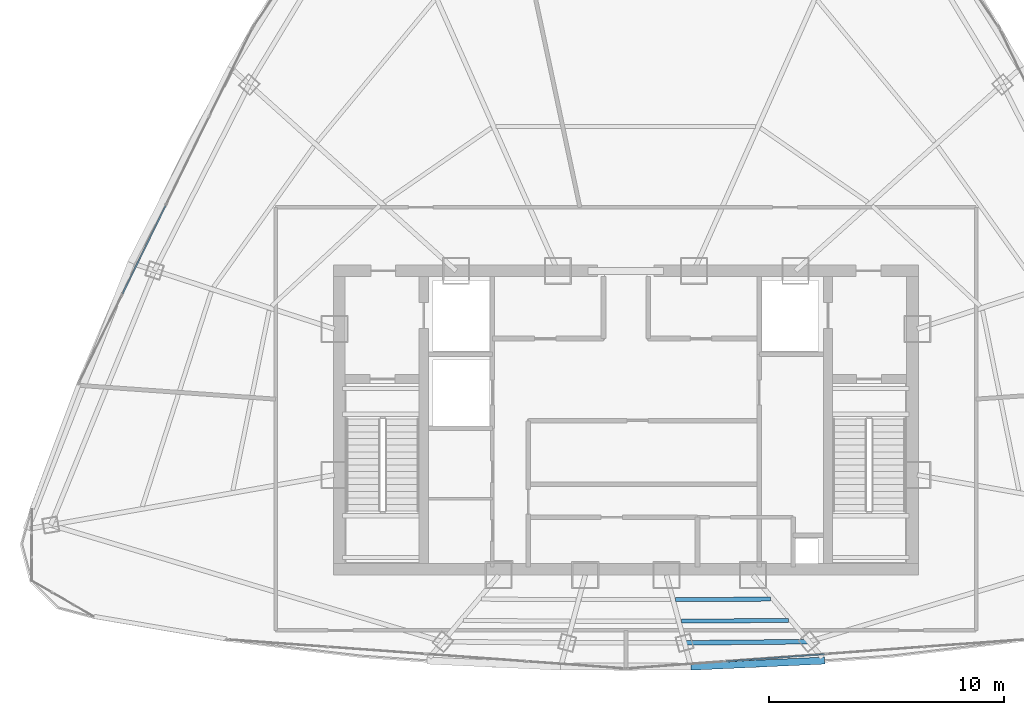
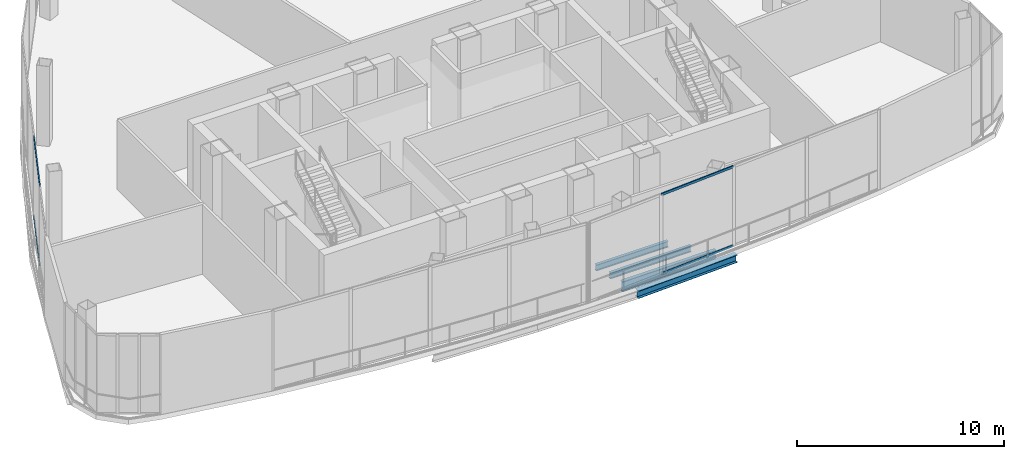
# One storey, part 9 of 33: 4 beams, 4 members, 2 elements without a shape of their own.
"""IFC4 building model written with IfcOpenShell, lengths in metres."""

from ifc_helpers import new_model, si_unit, direction, frame, origin, origin_2d, place, context, subcontext, project, spatial, hollow_rectangle, i_section, extrude, source, transform, mapped, material, layer, layer_set, material_profile, profile_set, type_object, element, aggregate, save


model = new_model("IFC4")

# Units and contexts
model_context = context("Model", 3, precision=1e-05, world=origin(), true_north=direction((0.0, 1.0)))
body_context = subcontext(model_context, "Body", "Model", "MODEL_VIEW")
ifc_project = project(units=[si_unit("LENGTHUNIT", "METRE"), si_unit("AREAUNIT", "SQUARE_METRE"), si_unit("VOLUMEUNIT", "CUBIC_METRE"), si_unit("PLANEANGLEUNIT", "RADIAN"), si_unit("MASSUNIT", "GRAM", prefix="KILO"), si_unit("THERMODYNAMICTEMPERATUREUNIT", "KELVIN"), si_unit("POWERUNIT", "WATT")], contexts=[model_context])

# Site, building, storey
site_placement = place(None, origin())
site = spatial("IfcSite", under=ifc_project, at=site_placement, CompositionType="ELEMENT")
building_placement = place(site_placement, origin())
building = spatial("IfcBuilding", under=site, at=building_placement, Name="Yunzhuo Pagoda Commons", CompositionType="ELEMENT")
storey_placement = place(building_placement, frame((0.0, 0.0, 386.760009765625)))
storey = spatial("IfcBuildingStorey", under=building, at=storey_placement, Name="L96", CompositionType="ELEMENT", Elevation=386.760009765625)

# Beams
ifc_material_1 = material(Name="Structural steel Q355B", Category="steel")
ifc_material_profile_1 = material_profile(ifc_material_1, i_section(OverallWidth=0.199951171875, OverallDepth=0.60009765625, WebThickness=0.010986328125, FlangeThickness=0.01708984375, at=origin_2d()), Name="Structural steel Q355B")
ifc_profile_set_1 = profile_set([ifc_material_profile_1], Name="Structural steel Q355B")
beam_type_1 = type_object("IfcBeamType", Name="B-RG3 Beam HN 600x200x11x17", PredefinedType="BEAM", material=ifc_profile_set_1)
shared_shape_1 = source(origin(), body_context, "Body", "SweptSolid", [
    extrude(i_section(OverallWidth=0.199951171875, OverallDepth=0.60009765625, WebThickness=0.010986328125, FlangeThickness=0.01708984375, at=origin_2d()), origin(), (0.0, 0.0, 1.0), 5.286376953125),
])
beam_1_placement = place(storey_placement, frame((50.499267578125, 24.372802734375, -0.580078125), z_axis=(0.999957341442, 0.009236627946, 0.0), x_axis=(-0.009236627946, 0.999957341442, 0.0)))
element("IfcBeam", 1, at=beam_1_placement, inside=storey, type_object=beam_type_1, Name="L96 column-ring beam 3", PredefinedType="BEAM", context=body_context, shape_type="MappedRepresentation", body=[
    mapped(shared_shape_1, transform((0.0, 0.0, 0.0), scale=1.0)),
])
ifc_material_profile_2 = material_profile(ifc_material_1, i_section(OverallWidth=0.175048828125, OverallDepth=0.35009765625, WebThickness=0.007080078125, FlangeThickness=0.010986328125, at=origin_2d()), Name="Structural steel Q355B")
ifc_profile_set_2 = profile_set([ifc_material_profile_2], Name="Structural steel Q355B")
beam_type_2 = type_object("IfcBeamType", Name="B-JS2 Joist HN 350x175x7x11", PredefinedType="JOIST", material=ifc_profile_set_2)
shared_shape_2 = source(origin(), body_context, "Body", "SweptSolid", [
    extrude(i_section(OverallWidth=0.175048828125, OverallDepth=0.35009765625, WebThickness=0.007080078125, FlangeThickness=0.010986328125, at=origin_2d()), origin(), (0.0, 0.0, 1.0), 4.03076171875),
])
beam_2_placement = place(storey_placement, frame((50.120849609375, 26.214599609375, -0.455078125), z_axis=(0.999991518197, 0.004118680996, 0.0), x_axis=(-0.004118680996, 0.999991518197, 0.0)))
element("IfcBeam", 2, at=beam_2_placement, inside=storey, type_object=beam_type_2, Name="L96 composite ring joist 1.3", PredefinedType="JOIST", context=body_context, shape_type="MappedRepresentation", body=[
    mapped(shared_shape_2, transform((0.0, 0.0, 0.0), scale=1.0)),
])
shared_shape_3 = source(origin(), body_context, "Body", "SweptSolid", [
    extrude(i_section(OverallWidth=0.175048828125, OverallDepth=0.35009765625, WebThickness=0.007080078125, FlangeThickness=0.010986328125, at=origin_2d()), origin(), (0.0, 0.0, 1.0), 4.54345703125),
])
beam_3_placement = place(storey_placement, frame((50.367431640625, 25.29443359375, -0.455078125), z_axis=(0.999975976237, 0.006931590593, 0.0), x_axis=(-0.006931590593, 0.999975976237, 0.0)))
element("IfcBeam", 3, at=beam_3_placement, inside=storey, type_object=beam_type_2, Name="L96 composite ring joist 2.3", PredefinedType="JOIST", context=body_context, shape_type="MappedRepresentation", body=[
    mapped(shared_shape_3, transform((0.0, 0.0, 0.0), scale=1.0)),
])
ifc_material_profile_3 = material_profile(ifc_material_1, i_section(OverallWidth=0.300048828125, OverallDepth=0.43994140625, WebThickness=0.010986328125, FlangeThickness=0.01806640625, at=origin_2d()), Name="Structural steel Q355B")
ifc_profile_set_3 = profile_set([ifc_material_profile_3], Name="Structural steel Q355B")
beam_type_3 = type_object("IfcBeamType", Name="B-SP2 Beam HM 440x300x11x18", PredefinedType="BEAM", material=ifc_profile_set_3)
shared_shape_4 = source(origin(), body_context, "Body", "SweptSolid", [
    extrude(i_section(OverallWidth=0.300048828125, OverallDepth=0.43994140625, WebThickness=0.010986328125, FlangeThickness=0.01806640625, at=origin_2d()), origin(), (0.0, 0.0, 1.0), 5.6953125),
])
beam_4_placement = place(storey_placement, frame((50.77099609375, 23.358642578125, -0.5), z_axis=(0.998967125564, 0.045438772447, 0.0), x_axis=(-0.045438772447, 0.998967125564, 0.0)))
element("IfcBeam", 4, at=beam_4_placement, inside=storey, type_object=beam_type_3, Name="L96 facade edge spandrel beam F1.3", PredefinedType="BEAM", context=body_context, shape_type="MappedRepresentation", body=[
    mapped(shared_shape_4, transform((0.0, 0.0, 0.0), scale=1.0)),
])

# Curtain wall, members
ifc_material_2 = material(Name="Anodized aluminium 6063-T6", Category="aluminium")
ifc_layer = layer(ifc_material_2, 0.179931640625)
ifc_layer_set = layer_set([ifc_layer], Name="Anodized aluminium 6063-T6")
curtain_wall_type = type_object("IfcCurtainWallType", Name="CW-CRN Crown Gable Glazing System", PredefinedType="NOTDEFINED", material=ifc_layer_set)
curtain_wall_1_placement = place(storey_placement, origin())
curtain_wall_1 = element("IfcCurtainWall", 5, at=curtain_wall_1_placement, inside=storey, type_object=curtain_wall_type, Name="L96 curtain wall CW-L96-CRNF1G2", PredefinedType="NOTDEFINED")
ifc_material_profile_4 = material_profile(ifc_material_2, hollow_rectangle(XDim=0.06005859375, YDim=0.139892578125, WallThickness=0.00341796875, at=origin_2d()), Name="Anodized aluminium 6063-T6")
ifc_profile_set_4 = profile_set([ifc_material_profile_4], Name="Anodized aluminium 6063-T6")
member_type = type_object("IfcMemberType", Name="CW-CRN-T Transom RHS 140x60x3.5", PredefinedType="USERDEFINED", material=ifc_profile_set_4)
shared_shape_5 = source(origin(), body_context, "Body", "SweptSolid", [
    extrude(hollow_rectangle(XDim=0.06005859375, YDim=0.139892578125, WallThickness=0.00341796875, at=origin_2d()), origin(), (0.0, 0.0, 1.0), 4.192626953125),
])
member_1_placement = place(storey_placement, frame((52.272705078125, 23.586181640625, 0.030029296875), z_axis=(0.99734724805, 0.072790568113, 0.0), x_axis=(-0.072790568113, 0.99734724805, 0.0)))
member_1 = element("IfcMember", 6, at=member_1_placement, type_object=member_type, Name="CW transom 2.1", ObjectType="TRANSOM", PredefinedType="USERDEFINED", context=body_context, shape_type="MappedRepresentation", body=[
    mapped(shared_shape_5, transform((0.0, 0.0, 0.0), scale=1.0)),
])
member_2_placement = place(storey_placement, frame((52.272705078125, 23.586181640625, 4.68994140625), z_axis=(0.99734724805, 0.072790568113, 0.0), x_axis=(-0.072790568113, 0.99734724805, 0.0)))
member_2 = element("IfcMember", 7, at=member_2_placement, type_object=member_type, Name="CW transom 2.2", ObjectType="TRANSOM", PredefinedType="USERDEFINED", context=body_context, shape_type="MappedRepresentation", body=[
    mapped(shared_shape_5, transform((0.0, 0.0, 0.0), scale=1.0)),
])
aggregate(curtain_wall_1, [member_1, member_2])

curtain_wall_2_placement = place(storey_placement, origin())
curtain_wall_2 = element("IfcCurtainWall", 8, at=curtain_wall_2_placement, inside=storey, type_object=curtain_wall_type, Name="L96 curtain wall CW-L96-CRNF3G2", PredefinedType="NOTDEFINED")
shared_shape_6 = source(origin(), body_context, "Body", "SweptSolid", [
    extrude(hollow_rectangle(XDim=0.06005859375, YDim=0.139892578125, WallThickness=0.00341796875, at=origin_2d()), origin(), (0.0, 0.0, 1.0), 4.157470703125),
])
member_3_placement = place(storey_placement, frame((28.415283203125, 42.966552734375, 0.030029296875), z_axis=(-0.439374430699, -0.898304018497, 0.0), x_axis=(0.898304018497, -0.439374430699, 0.0)))
member_3 = element("IfcMember", 9, at=member_3_placement, type_object=member_type, Name="CW transom 3.1", ObjectType="TRANSOM", PredefinedType="USERDEFINED", context=body_context, shape_type="MappedRepresentation", body=[
    mapped(shared_shape_6, transform((0.0, 0.0, 0.0), scale=1.0)),
])
member_4_placement = place(storey_placement, frame((28.415283203125, 42.966552734375, 4.68994140625), z_axis=(-0.439374430699, -0.898304018497, 0.0), x_axis=(0.898304018497, -0.439374430699, 0.0)))
member_4 = element("IfcMember", 10, at=member_4_placement, type_object=member_type, Name="CW transom 3.2", ObjectType="TRANSOM", PredefinedType="USERDEFINED", context=body_context, shape_type="MappedRepresentation", body=[
    mapped(shared_shape_6, transform((0.0, 0.0, 0.0), scale=1.0)),
])
aggregate(curtain_wall_2, [member_3, member_4])

save(model, "model.ifc")
